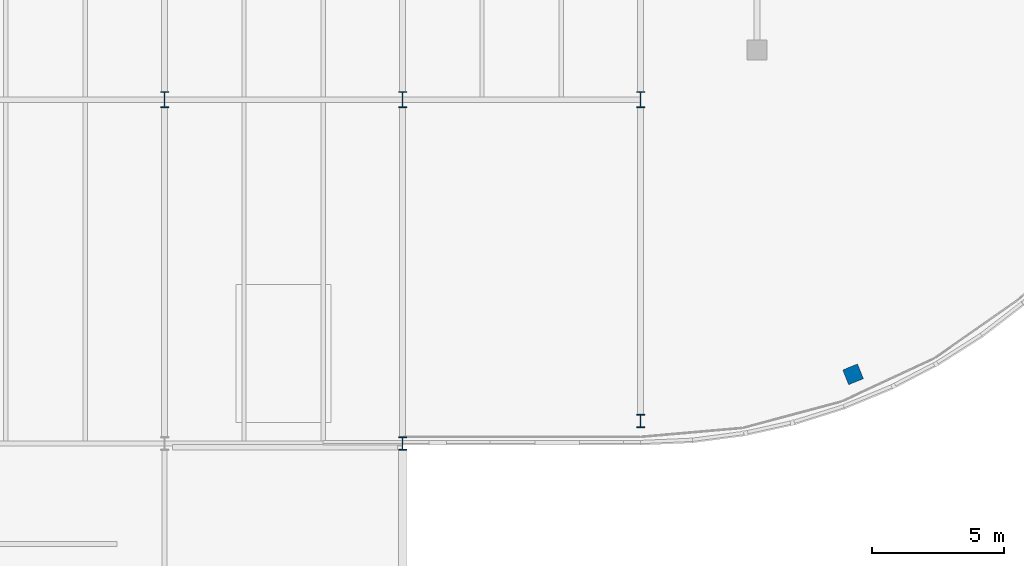
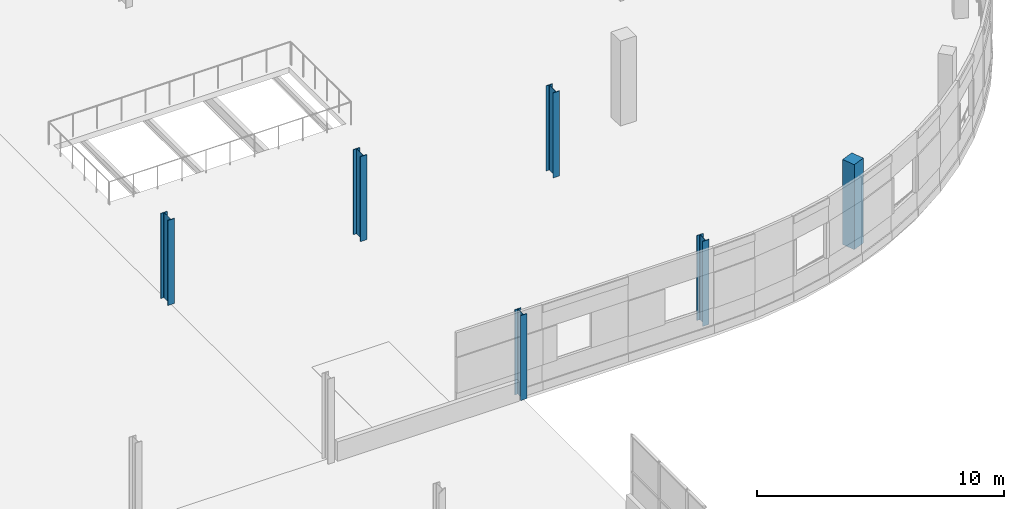
# One storey, part 5 of 88: 6 columns.
"""IFC4 building model written with IfcOpenShell, lengths in metres."""

from ifc_helpers import new_model, si_unit, direction, frame, origin, origin_2d, place, context, subcontext, project, spatial, rectangle, i_section, extrude, material, material_profile, profile_set, type_object, element, save


model = new_model("IFC4")

# Units and contexts
model_context = context("Model", 3, precision=1e-05, world=origin(), true_north=direction((0.0, 1.0)))
body_context = subcontext(model_context, "Body", "Model", "MODEL_VIEW")
ifc_project = project(units=[si_unit("LENGTHUNIT", "METRE"), si_unit("AREAUNIT", "SQUARE_METRE"), si_unit("VOLUMEUNIT", "CUBIC_METRE"), si_unit("PLANEANGLEUNIT", "RADIAN"), si_unit("MASSUNIT", "GRAM", prefix="KILO")], contexts=[model_context])

# Site, building, storey
site_placement = place(None, origin())
site = spatial("IfcSite", under=ifc_project, at=site_placement, CompositionType="ELEMENT")
building_placement = place(site_placement, origin())
building = spatial("IfcBuilding", under=site, at=building_placement, Name="Deido Ridge Mobility Hub", CompositionType="ELEMENT")
storey_placement = place(building_placement, frame((0.0, 0.0, 16.800048828125)))
storey = spatial("IfcBuildingStorey", under=building, at=storey_placement, Name="L04", CompositionType="ELEMENT", Elevation=16.800048828125)

# Columns
ifc_material_1 = material(Name="Steel S355J2 EN 10025-2", Category="steel")
ifc_material_profile_1 = material_profile(ifc_material_1, i_section(OverallWidth=0.300048828125, OverallDepth=0.5, WebThickness=0.014404296875, FlangeThickness=0.028076171875, FilletRadius=0.027099609375, at=origin_2d()), Name="HEB 500")
ifc_profile_set_1 = profile_set([ifc_material_profile_1], Name="Steel S355J2 EN 10025-2")
column_type_1 = type_object("IfcColumnType", Name="COL-HEB500", PredefinedType="COLUMN", material=ifc_profile_set_1)
for number, where, z_axis, x_axis, name in (
    (1, (108.0, 81.0, 0.0), (0.0, 0.0, 1.0), (1.0, 0.0, 0.0), "Structural column C5"),
    (2, (117.0, 81.85009765625, 0.0), (0.0, 0.0, 1.0), (1.0, 0.0, 0.0), "Structural column C5"),
):
    element("IfcColumn", number, at=place(storey_placement, frame(where, z_axis=z_axis, x_axis=x_axis)), inside=storey, type_object=column_type_1, Name=name, PredefinedType="COLUMN", context=body_context, shape_type="SweptSolid", body=[
        extrude(i_section(OverallWidth=0.300048828125, OverallDepth=0.5, WebThickness=0.014404296875, FlangeThickness=0.028076171875, FilletRadius=0.027099609375, at=origin_2d()), origin(), (0.0, 0.0, 1.0), 4.199951171875),
    ])
ifc_material_profile_2 = material_profile(ifc_material_1, i_section(OverallWidth=0.300048828125, OverallDepth=0.60009765625, WebThickness=0.015380859375, FlangeThickness=0.030029296875, FilletRadius=0.027099609375, at=origin_2d()), Name="HEB 600")
ifc_profile_set_2 = profile_set([ifc_material_profile_2], Name="Steel S355J2 EN 10025-2")
column_type_2 = type_object("IfcColumnType", Name="COL-HEB600", PredefinedType="COLUMN", material=ifc_profile_set_2)
for number, where, z_axis, x_axis, name in (
    (3, (99.0, 94.0, 0.0), (0.0, 0.0, 1.0), (1.0, 0.0, 0.0), "Structural column C4"),
    (4, (108.0, 94.0, 0.0), (0.0, 0.0, 1.0), (1.0, 0.0, 0.0), "Structural column C4"),
    (5, (117.0, 94.0, 0.0), (0.0, 0.0, 1.0), (1.0, 0.0, 0.0), "Structural column C4"),
):
    element("IfcColumn", number, at=place(storey_placement, frame(where, z_axis=z_axis, x_axis=x_axis)), inside=storey, type_object=column_type_2, Name=name, PredefinedType="COLUMN", context=body_context, shape_type="SweptSolid", body=[
        extrude(i_section(OverallWidth=0.300048828125, OverallDepth=0.60009765625, WebThickness=0.015380859375, FlangeThickness=0.030029296875, FilletRadius=0.027099609375, at=origin_2d()), origin(), (0.0, 0.0, 1.0), 4.199951171875),
    ])
ifc_material_2 = material(Name="Concrete C40/50", Category="concrete")
ifc_material_profile_3 = material_profile(ifc_material_2, rectangle(XDim=0.60009765625, YDim=0.60009765625, at=origin_2d()), Name="RC COL 600x600")
ifc_profile_set_3 = profile_set([ifc_material_profile_3], Name="Concrete C40/50")
column_type_3 = type_object("IfcColumnType", Name="COL-RC600", PredefinedType="COLUMN", material=ifc_profile_set_3)
column_placement = place(storey_placement, frame((125.035400390625, 83.61181640625, 0.0), z_axis=(0.0, 0.0, 1.0), x_axis=(0.374606593416, -0.927183854567, 0.0)))
element("IfcColumn", 6, at=column_placement, inside=storey, type_object=column_type_3, Name="Structural column RC2", PredefinedType="COLUMN", context=body_context, shape_type="SweptSolid", body=[
    extrude(rectangle(XDim=0.60009765625, YDim=0.60009765625, at=origin_2d()), origin(), (0.0, 0.0, 1.0), 4.199951171875),
])

save(model, "model.ifc")
